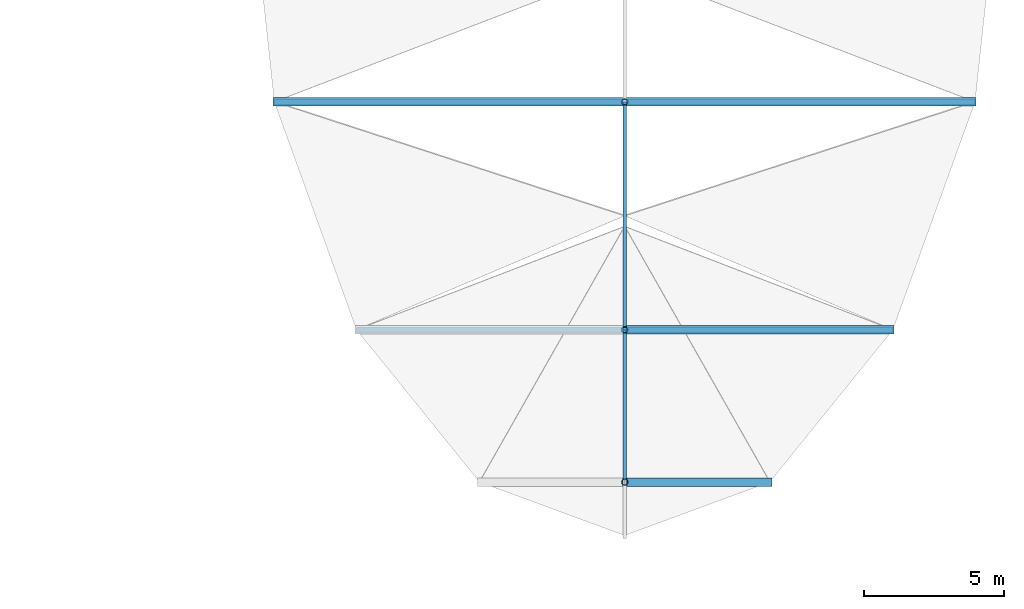
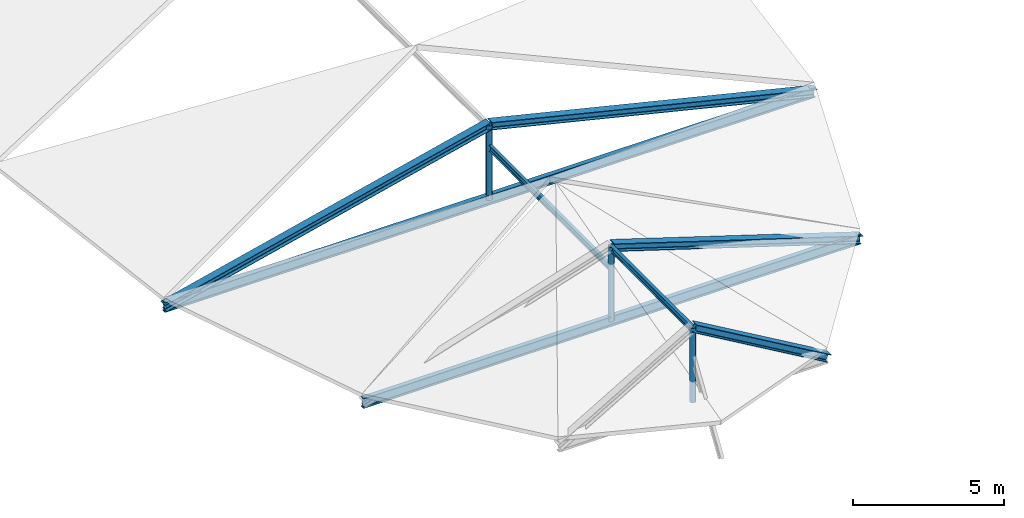
# One storey, part 20 of 36: 9 members, 2 beams.
"""IFC4 building model written with IfcOpenShell, lengths in metres."""

from ifc_helpers import new_model, si_unit, direction, frame, origin, origin_2d, place, context, subcontext, project, spatial, hollow_circle, i_section, extrude, material, material_profile, profile_set, type_object, element, save


model = new_model("IFC4")

# Units and contexts
model_context = context("Model", 3, precision=1e-05, world=origin(), true_north=direction((0.0, 1.0)))
body_context = subcontext(model_context, "Body", "Model", "MODEL_VIEW")
ifc_project = project(units=[si_unit("LENGTHUNIT", "METRE"), si_unit("AREAUNIT", "SQUARE_METRE"), si_unit("VOLUMEUNIT", "CUBIC_METRE"), si_unit("PLANEANGLEUNIT", "RADIAN"), si_unit("MASSUNIT", "GRAM", prefix="KILO")], contexts=[model_context])

# Site, building, storey
site_placement = place(None, origin())
site = spatial("IfcSite", under=ifc_project, at=site_placement, CompositionType="ELEMENT")
building_placement = place(site_placement, origin())
building = spatial("IfcBuilding", under=site, at=building_placement, Name="Kildeholm Park Wholesale Market", CompositionType="ELEMENT")
storey_placement = place(building_placement, frame((0.0, 0.0, 17.39990234375)))
storey = spatial("IfcBuildingStorey", under=building, at=storey_placement, Name="Roof", CompositionType="ELEMENT", Elevation=17.39990234375)

# Beams
ifc_material = material(Name="Steel S355", Category="steel")
ifc_material_profile_1 = material_profile(ifc_material, i_section(OverallWidth=0.179931640625, OverallDepth=0.39990234375, WebThickness=0.008544921875, FlangeThickness=0.013427734375, FilletRadius=0.02099609375, at=origin_2d()), Name="IPE 400")
ifc_profile_set_1 = profile_set([ifc_material_profile_1], Name="Steel S355")
beam_type = type_object("IfcBeamType", Name="Beam B-P01 IPE 400", PredefinedType="BEAM", material=ifc_profile_set_1)
beam_1_placement = place(storey_placement, frame((175.528076171875, 84.93310546875, -5.559814453125), z_axis=(1.0, 0.0, 0.0), x_axis=(0.0, 1.0, 0.0)))
element("IfcBeam", 1, at=beam_1_placement, inside=storey, type_object=beam_type, Name="Beam BM-V2-TIE-09 BM-0474", PredefinedType="BEAM", context=body_context, shape_type="SweptSolid", body=[
    extrude(i_section(OverallWidth=0.179931640625, OverallDepth=0.39990234375, WebThickness=0.008544921875, FlangeThickness=0.013427734375, FilletRadius=0.02099609375, at=origin_2d()), origin(), (0.0, 0.0, 1.0), 24.94384765625),
])
beam_2_placement = place(storey_placement, frame((178.4541015625, 76.822021484375, -5.559814453125), z_axis=(1.0, 0.0, 0.0), x_axis=(0.0, 1.0, 0.0)))
element("IfcBeam", 2, at=beam_2_placement, inside=storey, type_object=beam_type, Name="Beam BM-V2-TIE-10 BM-0475", PredefinedType="BEAM", context=body_context, shape_type="SweptSolid", body=[
    extrude(i_section(OverallWidth=0.179931640625, OverallDepth=0.39990234375, WebThickness=0.008544921875, FlangeThickness=0.013427734375, FilletRadius=0.02099609375, at=origin_2d()), origin(), (0.0, 0.0, 1.0), 19.091796875),
])

# Members
ifc_material_profile_2 = material_profile(ifc_material, i_section(OverallWidth=0.1201171875, OverallDepth=0.239990234375, WebThickness=0.006103515625, FlangeThickness=0.009765625, FilletRadius=0.014892578125, at=origin_2d()), Name="IPE 240")
ifc_profile_set_2 = profile_set([ifc_material_profile_2], Name="Steel S355")
member_type_1 = type_object("IfcMemberType", Name="Member PR-02 IPE 240", PredefinedType="PURLIN", material=ifc_profile_set_2)
member_1_placement = place(storey_placement, frame((188.0, 84.93310546875, -3.43310546875), z_axis=(0.0, -1.0, 0.0), x_axis=(1.0, 0.0, 0.0)))
element("IfcMember", 3, at=member_1_placement, inside=storey, type_object=member_type_1, Name="Member PR-V2-RDG-05 MEM-0329", PredefinedType="PURLIN", context=body_context, shape_type="SweptSolid", body=[
    extrude(i_section(OverallWidth=0.1201171875, OverallDepth=0.239990234375, WebThickness=0.006103515625, FlangeThickness=0.009765625, FilletRadius=0.014892578125, at=origin_2d()), origin(), (0.0, 0.0, 1.0), 8.111083984375),
])
member_2_placement = place(storey_placement, frame((188.0, 76.822021484375, -2.619873046875), z_axis=(0.0, -1.0, 0.0), x_axis=(1.0, 0.0, 0.0)))
element("IfcMember", 4, at=member_2_placement, inside=storey, type_object=member_type_1, Name="Member PR-V2-RDG-06 MEM-0330", PredefinedType="PURLIN", context=body_context, shape_type="SweptSolid", body=[
    extrude(i_section(OverallWidth=0.1201171875, OverallDepth=0.239990234375, WebThickness=0.006103515625, FlangeThickness=0.009765625, FilletRadius=0.014892578125, at=origin_2d()), origin(), (0.0, 0.0, 1.0), 5.4189453125),
])
ifc_material_profile_3 = material_profile(ifc_material, hollow_circle(Radius=0.109619140625, WallThickness=0.012451171875, at=origin_2d()), Name="CHS 219.1x12.5")
ifc_profile_set_3 = profile_set([ifc_material_profile_3], Name="Steel S355")
member_type_2 = type_object("IfcMemberType", Name="Member TB-02 CHS 219.1x12.5", PredefinedType="BRACE", material=ifc_profile_set_3)
for number, where, z_axis, x_axis, name in (
    (5, (188.0, 84.93310546875, -5.559814453125), (0.0, 0.0, 1.0), (1.0, 0.0, 0.0), "Member TR-V2-KP-09 MEM-0318"),
    (6, (188.0, 76.822021484375, -5.559814453125), (0.0, 0.0, 1.0), (1.0, 0.0, 0.0), "Member TR-V2-KP-10 MEM-0321"),
    (7, (188.0, 71.403076171875, -5.559814453125), (0.0, 0.0, 1.0), (1.0, 0.0, 0.0), "Member TR-V2-KP-11 MEM-0324"),
):
    element("IfcMember", number, at=place(storey_placement, frame(where, z_axis=z_axis, x_axis=x_axis)), inside=storey, type_object=member_type_2, Name=name, PredefinedType="BRACE", context=body_context, shape_type="SweptSolid", body=[
        extrude(hollow_circle(Radius=0.109619140625, WallThickness=0.012451171875, at=origin_2d()), origin(), (0.0, 0.0, 1.0), 3.02001953125),
    ])
ifc_material_profile_4 = material_profile(ifc_material, i_section(OverallWidth=0.300048828125, OverallDepth=0.300048828125, WebThickness=0.010986328125, FlangeThickness=0.01904296875, FilletRadius=0.027099609375, at=origin_2d()), Name="HEB 300")
ifc_profile_set_4 = profile_set([ifc_material_profile_4], Name="Steel S355")
member_type_3 = type_object("IfcMemberType", Name="Member TC-03 HEB 300", PredefinedType="CHORD", material=ifc_profile_set_4)
for number, where, z_axis, x_axis, name in (
    (8, (175.528076171875, 84.93310546875, -5.559814453125), (0.971912114897, 0.0, 0.235344090463), (0.0, 1.0, 0.0), "Member TR-V2-TC-09L MEM-0316"),
    (9, (188.0, 84.93310546875, -2.539794921875), (0.971912114897, 0.0, -0.235344090463), (0.0, 1.0, 0.0), "Member TR-V2-TC-09R MEM-0317"),
):
    element("IfcMember", number, at=place(storey_placement, frame(where, z_axis=z_axis, x_axis=x_axis)), inside=storey, type_object=member_type_3, Name=name, PredefinedType="CHORD", context=body_context, shape_type="SweptSolid", body=[
        extrude(i_section(OverallWidth=0.300048828125, OverallDepth=0.300048828125, WebThickness=0.010986328125, FlangeThickness=0.01904296875, FilletRadius=0.027099609375, at=origin_2d()), origin(), (0.0, 0.0, 1.0), 12.832275390625),
    ])
member_3_placement = place(storey_placement, frame((188.0, 76.822021484375, -2.539794921875), z_axis=(0.953424066202, 0.0, -0.30163313808), x_axis=(0.0, 1.0, 0.0)))
element("IfcMember", 10, at=member_3_placement, inside=storey, type_object=member_type_3, Name="Member TR-V2-TC-10R MEM-0320", PredefinedType="CHORD", context=body_context, shape_type="SweptSolid", body=[
    extrude(i_section(OverallWidth=0.300048828125, OverallDepth=0.300048828125, WebThickness=0.010986328125, FlangeThickness=0.01904296875, FilletRadius=0.027099609375, at=origin_2d()), origin(), (0.0, 0.0, 1.0), 10.01220703125),
])
member_4_placement = place(storey_placement, frame((188.0, 71.403076171875, -2.539794921875), z_axis=(0.863304998408, 0.0, -0.504682553417), x_axis=(0.0, 1.0, 0.0)))
element("IfcMember", 11, at=member_4_placement, inside=storey, type_object=member_type_3, Name="Member TR-V2-TC-11R MEM-0323", PredefinedType="CHORD", context=body_context, shape_type="SweptSolid", body=[
    extrude(i_section(OverallWidth=0.300048828125, OverallDepth=0.300048828125, WebThickness=0.010986328125, FlangeThickness=0.01904296875, FilletRadius=0.027099609375, at=origin_2d()), origin(), (0.0, 0.0, 1.0), 5.98388671875),
])

save(model, "model.ifc")
